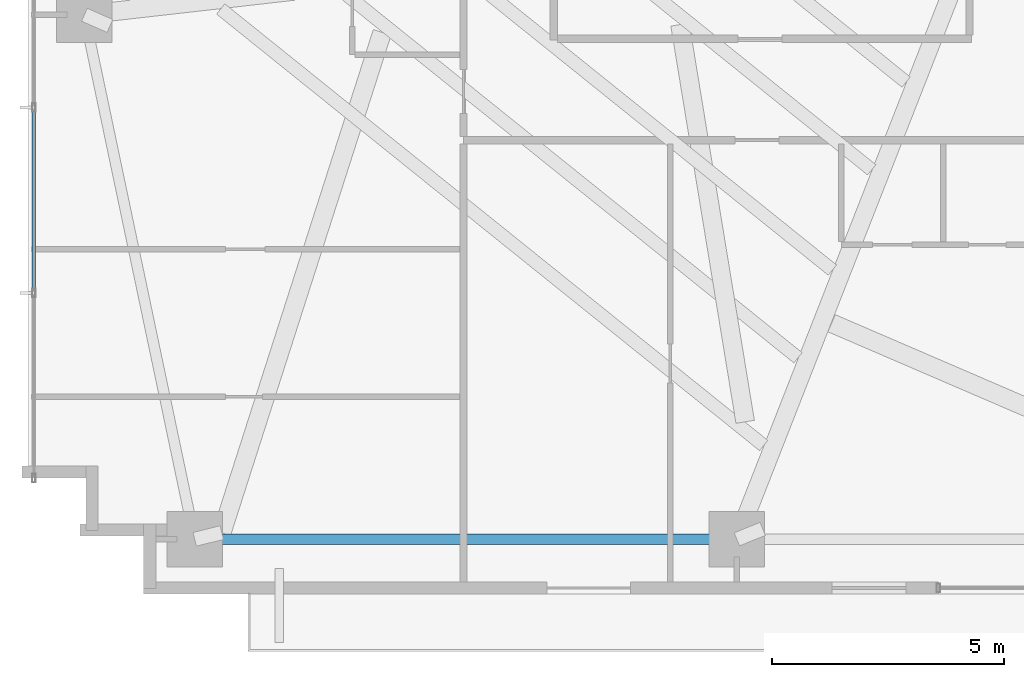
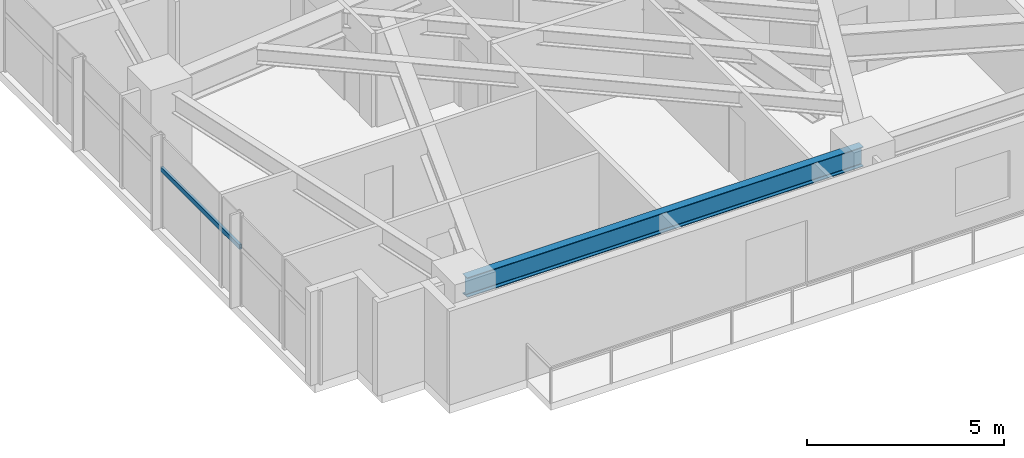
# One storey, part 3 of 25: 1 beam, 1 member, 1 element without a shape of its own.
"""IFC4 building model written with IfcOpenShell, lengths in metres."""

from ifc_helpers import new_model, si_unit, direction, frame, origin, origin_2d, place, context, subcontext, project, spatial, hollow_rectangle, i_section, extrude, source, transform, mapped, material, material_profile, profile_set, type_object, type_shapes, element, aggregate, save


model = new_model("IFC4")

# Units and contexts
model_context = context("Model", 3, precision=1e-05, world=origin(), true_north=direction((0.0, 1.0)))
body_context = subcontext(model_context, "Body", "Model", "MODEL_VIEW")
ifc_project = project(units=[si_unit("LENGTHUNIT", "METRE"), si_unit("AREAUNIT", "SQUARE_METRE"), si_unit("VOLUMEUNIT", "CUBIC_METRE"), si_unit("PLANEANGLEUNIT", "RADIAN"), si_unit("MASSUNIT", "GRAM", prefix="KILO")], contexts=[model_context])

# Site, building, storey
site_placement = place(None, origin())
site = spatial("IfcSite", under=ifc_project, at=site_placement, CompositionType="ELEMENT")
building_placement = place(site_placement, origin())
building = spatial("IfcBuilding", under=site, at=building_placement, Name="Astriad Promenade Condominiums", CompositionType="ELEMENT")
storey_placement = place(building_placement, frame((0.0, 0.0, 64.60009765625)))
storey = spatial("IfcBuildingStorey", under=building, at=storey_placement, Name="L18", CompositionType="ELEMENT", Elevation=64.60009765625)

# Beam
ifc_material_1 = material(Name="Steel ASTM A992 Grade 50", Category="steel")
ifc_material_profile_1 = material_profile(ifc_material_1, i_section(OverallWidth=0.22900390625, OverallDepth=0.612060546875, WebThickness=0.011962890625, FlangeThickness=0.01953125, FilletRadius=0.017822265625, at=origin_2d()), Name="W24X84")
ifc_profile_set_1 = profile_set([ifc_material_profile_1], Name="Steel ASTM A992 Grade 50")
beam_type = type_object("IfcBeamType", Name="STEEL SPANDREL BEAM W24X84", PredefinedType="SPANDREL", material=ifc_profile_set_1)
shared_shape_1 = source(origin(), body_context, "Body", "SweptSolid", [
    extrude(i_section(OverallWidth=0.22900390625, OverallDepth=0.612060546875, WebThickness=0.011962890625, FlangeThickness=0.01953125, FilletRadius=0.017822265625, at=origin_2d()), origin(), (0.0, 0.0, 1.0), 11.6201171875),
])
type_shapes(beam_type, [shared_shape_1])
beam_placement = place(storey_placement, frame((9.43994140625, 3.8798828125, 2.593994140625), z_axis=(1.0, 0.0, 0.0), x_axis=(0.0, 1.0, 0.0)))
element("IfcBeam", 1, at=beam_placement, inside=storey, type_object=beam_type, Name="Perimeter Spandrel Beam SP-S1-L18", PredefinedType="SPANDREL", context=body_context, shape_type="MappedRepresentation", body=[
    mapped(shared_shape_1, transform((0.0, 0.0, 0.0), scale=1.0)),
])

# Curtain wall, member
ifc_material_2 = material(Name="Anodised aluminium Black Dark Glass Unitised", Category="aluminium")
curtain_wall_type = type_object("IfcCurtainWallType", Name="CW-B1-DARK", PredefinedType="USERDEFINED", material=ifc_material_2)
curtain_wall_placement = place(storey_placement, origin())
curtain_wall = element("IfcCurtainWall", 2, at=curtain_wall_placement, inside=storey, type_object=curtain_wall_type, Name="CW-L18-W", ObjectType="UNITISED_CURTAIN_WALL", PredefinedType="USERDEFINED")
ifc_material_3 = material(Name="Anodised aluminium 6063-T6 Black", Category="aluminium")
ifc_material_profile_2 = material_profile(ifc_material_3, hollow_rectangle(XDim=0.074951171875, YDim=0.14990234375, WallThickness=0.004150390625, at=origin_2d()), Name="ALU-TRN-75X150")
ifc_profile_set_2 = profile_set([ifc_material_profile_2], Name="Anodised aluminium 6063-T6 Black")
member_type = type_object("IfcMemberType", Name="TRN-ALU-TRN-75X150", PredefinedType="USERDEFINED", material=ifc_profile_set_2)
shared_shape_2 = source(origin(), body_context, "Body", "SweptSolid", [
    extrude(hollow_rectangle(XDim=0.074951171875, YDim=0.14990234375, WallThickness=0.004150390625, at=origin_2d()), origin(), (0.0, 0.0, 1.0), 4.0),
])
type_shapes(member_type, [shared_shape_2])
member_placement = place(storey_placement, frame((5.929931640625, 9.199951171875, 1.7978515625), z_axis=(0.0, 1.0, 0.0), x_axis=(-1.0, 0.0, 0.0)))
member = element("IfcMember", 3, at=member_placement, type_object=member_type, Name="CW-L18-W-TRN-01-0", ObjectType="TRANSOM", PredefinedType="USERDEFINED", context=body_context, shape_type="MappedRepresentation", body=[
    mapped(shared_shape_2, transform((0.0, 0.0, 0.0), scale=1.0)),
])
aggregate(curtain_wall, [member])

save(model, "model.ifc")
